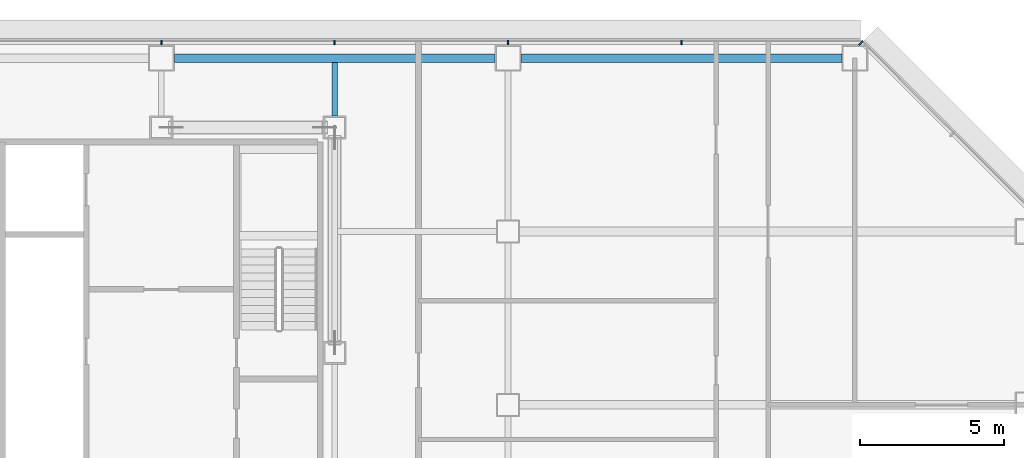
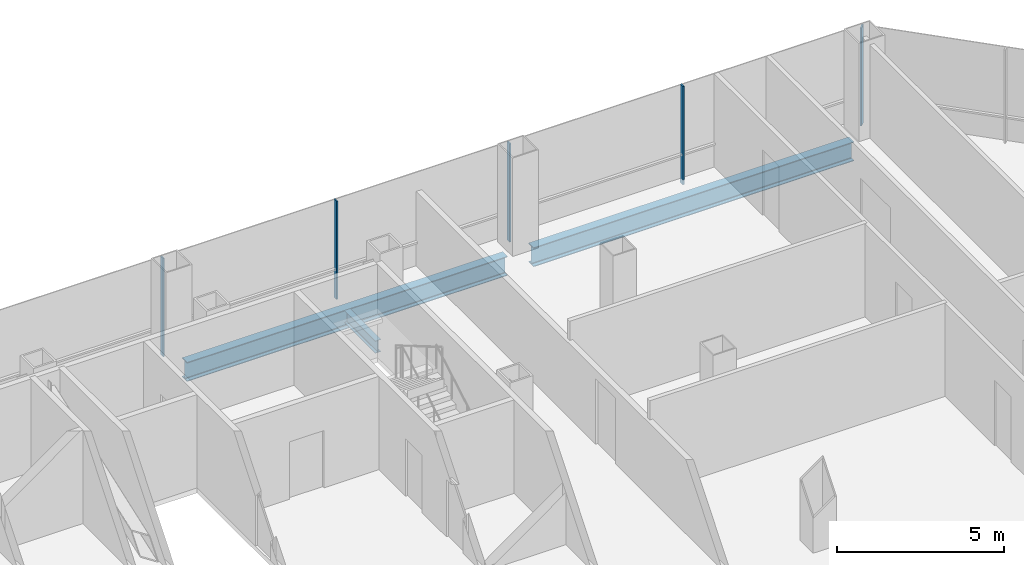
# One storey, part 15 of 27: 5 members, 3 beams, 2 elements without a shape of their own.
"""IFC4 building model written with IfcOpenShell, lengths in metres."""

from ifc_helpers import new_model, si_unit, direction, frame, origin, origin_2d, place, context, subcontext, project, spatial, rectangle, i_section, extrude, material, material_profile, profile_set, type_object, element, aggregate, save


model = new_model("IFC4")

# Units and contexts
model_context = context("Model", 3, precision=1e-05, world=origin(), true_north=direction((0.0, 1.0)))
body_context = subcontext(model_context, "Body", "Model", "MODEL_VIEW")
ifc_project = project(units=[si_unit("LENGTHUNIT", "METRE"), si_unit("AREAUNIT", "SQUARE_METRE"), si_unit("VOLUMEUNIT", "CUBIC_METRE"), si_unit("PLANEANGLEUNIT", "RADIAN"), si_unit("MASSUNIT", "GRAM", prefix="KILO")], contexts=[model_context])

# Site, building, storey
site_placement = place(None, origin())
site = spatial("IfcSite", under=ifc_project, at=site_placement, CompositionType="ELEMENT")
building_placement = place(site_placement, origin())
building = spatial("IfcBuilding", under=site, at=building_placement, Name="Sorahane Residences", CompositionType="ELEMENT")
storey_placement = place(building_placement, frame((0.0, 0.0, 57.0)))
storey = spatial("IfcBuildingStorey", under=building, at=storey_placement, Name="L10", CompositionType="ELEMENT", Elevation=57.0)

# Curtain wall, members
ifc_material_1 = material(Name="Dark low-e glass and black anodised aluminium", Category="aluminium")
curtain_wall_type_1 = type_object("IfcCurtainWallType", Name="Curtain wall CW-1 Typical unitised wall", PredefinedType="NOTDEFINED", material=ifc_material_1)
curtain_wall_1_placement = place(storey_placement, origin())
curtain_wall_1 = element("IfcCurtainWall", 1, at=curtain_wall_1_placement, inside=storey, type_object=curtain_wall_type_1, Name="CW-1 curtain wall L10 N1", PredefinedType="NOTDEFINED")
ifc_material_2 = material(Name="Black anodised aluminium", Category="aluminium")
ifc_material_profile_1 = material_profile(ifc_material_2, rectangle(XDim=0.159912109375, YDim=0.050048828125, at=origin_2d()), Name="Curtain wall mullion CW-1 black anodised aluminium 50x160")
ifc_profile_set_1 = profile_set([ifc_material_profile_1], Name="Black anodised aluminium")
member_type_1 = type_object("IfcMemberType", Name="Curtain wall mullion CW-1 black anodised aluminium 50x160", PredefinedType="MULLION", material=ifc_profile_set_1)
member_1_placement = place(storey_placement, frame((54.0, 48.5400390625, -0.179931640625), z_axis=(0.0, 0.0, 1.0), x_axis=(0.0, 1.0, 0.0)))
member_1 = element("IfcMember", 2, at=member_1_placement, type_object=member_type_1, Name="CW-1 mullion L10 N1.2", PredefinedType="MULLION", context=body_context, shape_type="SweptSolid", body=[
    extrude(rectangle(XDim=0.159912109375, YDim=0.050048828125, at=origin_2d()), origin(), (0.0, 0.0, 1.0), 3.599853515625),
])
member_2_placement = place(storey_placement, frame((48.0, 48.5400390625, -0.179931640625), z_axis=(0.0, 0.0, 1.0), x_axis=(0.0, 1.0, 0.0)))
member_2 = element("IfcMember", 3, at=member_2_placement, type_object=member_type_1, Name="CW-1 mullion L10 N1.3", PredefinedType="MULLION", context=body_context, shape_type="SweptSolid", body=[
    extrude(rectangle(XDim=0.159912109375, YDim=0.050048828125, at=origin_2d()), origin(), (0.0, 0.0, 1.0), 3.599853515625),
])
member_3_placement = place(storey_placement, frame((42.0, 48.5400390625, -0.179931640625), z_axis=(0.0, 0.0, 1.0), x_axis=(0.0, 1.0, 0.0)))
member_3 = element("IfcMember", 4, at=member_3_placement, type_object=member_type_1, Name="CW-1 mullion L10 N1.4", PredefinedType="MULLION", context=body_context, shape_type="SweptSolid", body=[
    extrude(rectangle(XDim=0.159912109375, YDim=0.050048828125, at=origin_2d()), origin(), (0.0, 0.0, 1.0), 3.599853515625),
])
member_4_placement = place(storey_placement, frame((36.0, 48.5400390625, -0.179931640625), z_axis=(0.0, 0.0, 1.0), x_axis=(0.0, 1.0, 0.0)))
member_4 = element("IfcMember", 5, at=member_4_placement, type_object=member_type_1, Name="CW-1 mullion L10 N1.5", PredefinedType="MULLION", context=body_context, shape_type="SweptSolid", body=[
    extrude(rectangle(XDim=0.159912109375, YDim=0.050048828125, at=origin_2d()), origin(), (0.0, 0.0, 1.0), 3.599853515625),
])
aggregate(curtain_wall_1, [member_1, member_2, member_3, member_4])

# Curtain wall, member
ifc_material_3 = material(Name="Dark low-e glass and black anodised aluminium", Category="aluminium")
curtain_wall_type_2 = type_object("IfcCurtainWallType", Name="Curtain wall CW-2 Chamfer unitised wall", PredefinedType="NOTDEFINED", material=ifc_material_3)
curtain_wall_2_placement = place(storey_placement, origin())
curtain_wall_2 = element("IfcCurtainWall", 6, at=curtain_wall_2_placement, inside=storey, type_object=curtain_wall_type_2, Name="CW-2 curtain wall L10 NE1", PredefinedType="NOTDEFINED")
ifc_material_4 = material(Name="Black anodised aluminium", Category="aluminium")
ifc_material_profile_2 = material_profile(ifc_material_4, rectangle(XDim=0.199951171875, YDim=0.050048828125, at=origin_2d()), Name="Curtain wall mullion CW-2 black anodised aluminium 50x200")
ifc_profile_set_2 = profile_set([ifc_material_profile_2], Name="Black anodised aluminium")
member_type_2 = type_object("IfcMemberType", Name="Curtain wall mullion CW-2 black anodised aluminium 50x200", PredefinedType="MULLION", material=ifc_profile_set_2)
member_5_placement = place(storey_placement, frame((60.209716796875, 48.525634765625, -0.179931640625), z_axis=(0.0, 0.0, 1.0), x_axis=(0.707106781187, 0.707106781187, 0.0)))
member_5 = element("IfcMember", 7, at=member_5_placement, type_object=member_type_2, Name="CW-2 mullion L10 NE1.3", PredefinedType="MULLION", context=body_context, shape_type="SweptSolid", body=[
    extrude(rectangle(XDim=0.199951171875, YDim=0.050048828125, at=origin_2d()), origin(), (0.0, 0.0, 1.0), 3.599853515625),
])
aggregate(curtain_wall_2, [member_5])

# Beams
ifc_material_5 = material(Name="Steel Q355B", Category="steel")
ifc_material_profile_3 = material_profile(ifc_material_5, i_section(OverallWidth=0.199951171875, OverallDepth=0.449951171875, WebThickness=0.009033203125, FlangeThickness=0.013916015625, FilletRadius=0.02001953125, at=origin_2d()), Name="HN 450x200x9x14")
ifc_profile_set_3 = profile_set([ifc_material_profile_3], Name="Steel Q355B")
beam_type_1 = type_object("IfcBeamType", Name="Steel floor beam HN 450x200x9x14 Q355B", PredefinedType="BEAM", material=ifc_profile_set_3)
beam_placement = place(storey_placement, frame((42.0, 46.0, -0.405029296875), z_axis=(0.0, 1.0, 0.0), x_axis=(-1.0, 0.0, 0.0)))
element("IfcBeam", 8, at=beam_placement, inside=storey, type_object=beam_type_1, Name="Beam L10 050", PredefinedType="BEAM", context=body_context, shape_type="SweptSolid", body=[
    extrude(i_section(OverallWidth=0.199951171875, OverallDepth=0.449951171875, WebThickness=0.009033203125, FlangeThickness=0.013916015625, FilletRadius=0.02001953125, at=origin_2d()), origin(), (0.0, 0.0, 1.0), 1.85009765625),
])
ifc_material_6 = material(Name="Steel Q355B", Category="steel")
ifc_material_profile_4 = material_profile(ifc_material_6, i_section(OverallWidth=0.300048828125, OverallDepth=0.699951171875, WebThickness=0.012939453125, FlangeThickness=0.02392578125, FilletRadius=0.028076171875, at=origin_2d()), Name="HN 700x300x13x24")
ifc_profile_set_4 = profile_set([ifc_material_profile_4], Name="Steel Q355B")
beam_type_2 = type_object("IfcBeamType", Name="Steel floor beam HN 700x300x13x24 Q355B", PredefinedType="BEAM", material=ifc_profile_set_4)
for number, where, z_axis, x_axis, name in (
    (9, (36.449951171875, 48.0, -0.530029296875), (1.0, 0.0, 0.0), (0.0, 1.0, 0.0), "Beam L10 015"),
    (10, (48.449951171875, 48.0, -0.530029296875), (1.0, 0.0, 0.0), (0.0, 1.0, 0.0), "Beam L10 016"),
):
    element("IfcBeam", number, at=place(storey_placement, frame(where, z_axis=z_axis, x_axis=x_axis)), inside=storey, type_object=beam_type_2, Name=name, PredefinedType="BEAM", context=body_context, shape_type="SweptSolid", body=[
        extrude(i_section(OverallWidth=0.300048828125, OverallDepth=0.699951171875, WebThickness=0.012939453125, FlangeThickness=0.02392578125, FilletRadius=0.028076171875, at=origin_2d()), origin(), (0.0, 0.0, 1.0), 11.10009765625),
    ])

save(model, "model.ifc")
